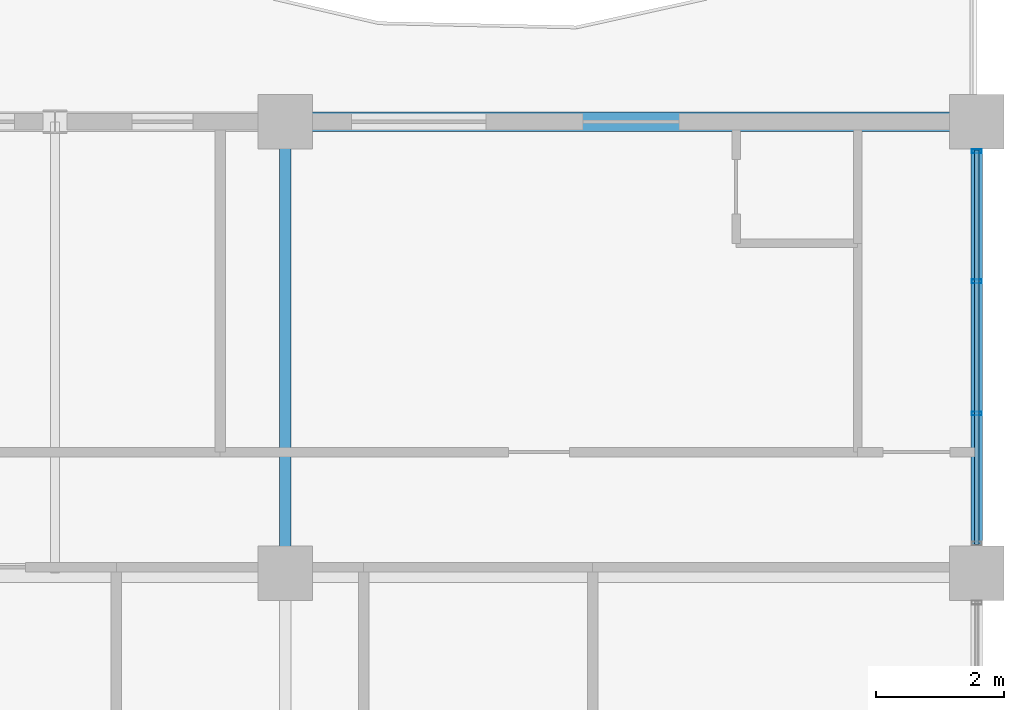
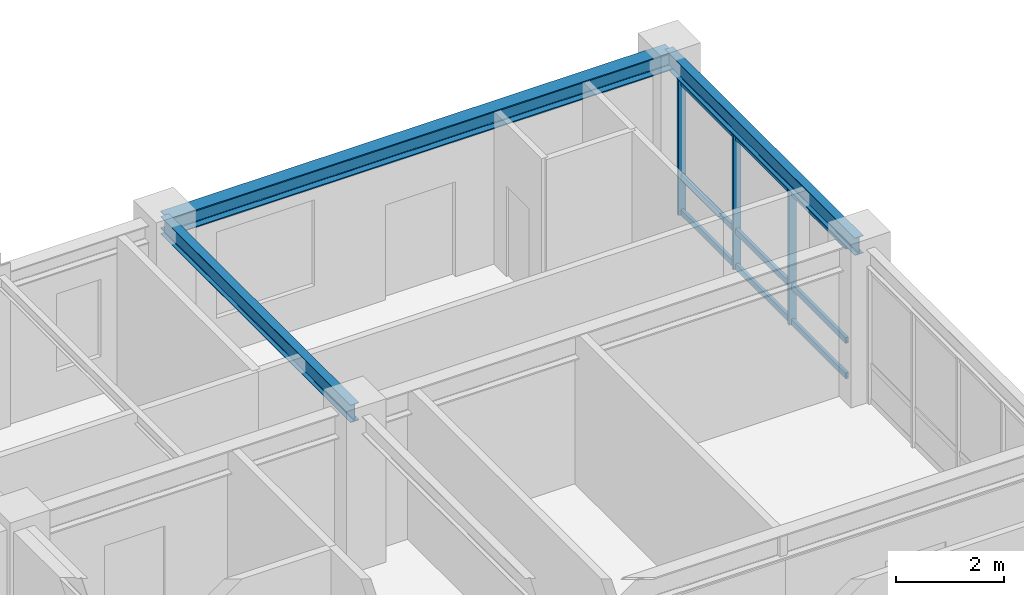
# One storey, part 4 of 11: 6 members, 3 beams, 1 element without a shape of its own.
"""IFC4 building model written with IfcOpenShell, lengths in metres."""

from ifc_helpers import new_model, si_unit, direction, frame, origin, origin_2d, place, context, subcontext, project, spatial, hollow_rectangle, i_section, extrude, source, transform, mapped, material, layer, layer_set, material_profile, profile_set, type_object, element, aggregate, save


model = new_model("IFC4")

# Units and contexts
model_context = context("Model", 3, precision=1e-05, world=origin(), true_north=direction((0.0, 1.0)))
body_context = subcontext(model_context, "Body", "Model", "MODEL_VIEW")
ifc_project = project(units=[si_unit("LENGTHUNIT", "METRE"), si_unit("AREAUNIT", "SQUARE_METRE"), si_unit("VOLUMEUNIT", "CUBIC_METRE"), si_unit("PLANEANGLEUNIT", "RADIAN"), si_unit("MASSUNIT", "GRAM", prefix="KILO")], contexts=[model_context])

# Site, building, storey
site_placement = place(None, origin())
site = spatial("IfcSite", under=ifc_project, at=site_placement, CompositionType="ELEMENT")
building_placement = place(site_placement, origin())
building = spatial("IfcBuilding", under=site, at=building_placement, Name="Kaliganga Portal Commons", CompositionType="ELEMENT")
storey_placement = place(building_placement, frame((0.0, 0.0, 253.60009765625)))
storey = spatial("IfcBuildingStorey", under=building, at=storey_placement, Name="L65", CompositionType="ELEMENT", Elevation=253.60009765625)

# Beams
ifc_material_1 = material(Name="Structural steel S355J2", Category="steel")
ifc_material_profile_1 = material_profile(ifc_material_1, i_section(OverallWidth=0.300048828125, OverallDepth=0.39990234375, WebThickness=0.013427734375, FlangeThickness=0.02392578125, FilletRadius=0.027099609375, at=origin_2d()), Name="HE 400 B")
ifc_profile_set_1 = profile_set([ifc_material_profile_1], Name="Structural steel S355J2 wide-flange")
beam_type_1 = type_object("IfcBeamType", Name="BM-SPAND-400", PredefinedType="SPANDREL", material=ifc_profile_set_1)
shared_shape_1 = source(origin(), body_context, "Body", "SweptSolid", [
    extrude(i_section(OverallWidth=0.300048828125, OverallDepth=0.39990234375, WebThickness=0.013427734375, FlangeThickness=0.02392578125, FilletRadius=0.027099609375, at=origin_2d()), origin(), (0.0, 0.0, 1.0), 10.800048828125),
])
beam_placement = place(storey_placement, frame((36.0, 43.199951171875, 3.27490234375), z_axis=(1.0, 0.0, 0.0), x_axis=(0.0, 1.0, 0.0)))
element("IfcBeam", 1, at=beam_placement, inside=storey, type_object=beam_type_1, Name="BM SP L65 AN 7", PredefinedType="SPANDREL", context=body_context, shape_type="MappedRepresentation", body=[
    mapped(shared_shape_1, transform((0.0, 0.0, 0.0), x_axis=(1.0, 0.0, 0.0), y_axis=(0.0, 1.0, 0.0), z_axis=(0.0, 0.0, 1.0), scale=1.0)),
])
ifc_material_profile_2 = material_profile(ifc_material_1, i_section(OverallWidth=0.179931640625, OverallDepth=0.39990234375, WebThickness=0.008544921875, FlangeThickness=0.013427734375, FilletRadius=0.02099609375, at=origin_2d()), Name="IPE 400")
ifc_profile_set_2 = profile_set([ifc_material_profile_2], Name="Structural steel S355J2 wide-flange")
beam_type_2 = type_object("IfcBeamType", Name="BM-FLR-400", PredefinedType="BEAM", material=ifc_profile_set_2)
shared_shape_2 = source(origin(), body_context, "Body", "SweptSolid", [
    extrude(i_section(OverallWidth=0.179931640625, OverallDepth=0.39990234375, WebThickness=0.008544921875, FlangeThickness=0.013427734375, FilletRadius=0.02099609375, at=origin_2d()), origin(), (0.0, 0.0, 1.0), 7.050048828125),
])
for number, where, z_axis, x_axis, name in (
    (2, (36.0, 36.14990234375, 3.27490234375), (0.0, 1.0, 0.0), (-1.0, 0.0, 0.0), "BM G L65 AN360"),
    (3, (46.800048828125, 36.14990234375, 3.27490234375), (0.0, 1.0, 0.0), (-1.0, 0.0, 0.0), "BM G L65 AN468"),
):
    element("IfcBeam", number, at=place(storey_placement, frame(where, z_axis=z_axis, x_axis=x_axis)), inside=storey, type_object=beam_type_2, Name=name, PredefinedType="BEAM", context=body_context, shape_type="MappedRepresentation", body=[
        mapped(shared_shape_2, transform((0.0, 0.0, 0.0), x_axis=(1.0, 0.0, 0.0), y_axis=(0.0, 1.0, 0.0), z_axis=(0.0, 0.0, 1.0), scale=1.0)),
    ])

# Curtain wall, members
ifc_material_2 = material(Name="Anodized Aluminium and Laminated Low-E Glass", Category="aluminium")
ifc_layer = layer(ifc_material_2, 0.18994140625)
ifc_layer_set = layer_set([ifc_layer], Name="Anodized Aluminium and Laminated Low-E Glass")
curtain_wall_type = type_object("IfcCurtainWallType", Name="CW-SYS-05", PredefinedType="NOTDEFINED", material=ifc_layer_set)
curtain_wall_placement = place(storey_placement, origin())
curtain_wall = element("IfcCurtainWall", 4, at=curtain_wall_placement, inside=storey, type_object=curtain_wall_type, Name="CW 05 L65 P1E01S3", PredefinedType="NOTDEFINED")
ifc_material_3 = material(Name="Dark Bronze Anodized Aluminium", Category="aluminium")
ifc_material_profile_3 = material_profile(ifc_material_3, hollow_rectangle(XDim=0.06005859375, YDim=0.159912109375, WallThickness=0.00341796875, at=origin_2d()), Name="ALU MULL 60x160x3.5")
ifc_profile_set_3 = profile_set([ifc_material_profile_3], Name="Dark Bronze Anodized Aluminium")
member_type_1 = type_object("IfcMemberType", Name="CW-MUL-160", PredefinedType="MULLION", material=ifc_profile_set_3)
shared_shape_3 = source(origin(), body_context, "Body", "SweptSolid", [
    extrude(hollow_rectangle(XDim=0.06005859375, YDim=0.159912109375, WallThickness=0.00341796875, at=origin_2d()), origin(), (0.0, 0.0, 1.0), 3.074951171875),
])
member_1_placement = place(storey_placement, frame((46.800048828125, 38.64208984375, 0.0), z_axis=(0.0, 0.0, 1.0), x_axis=(0.0, 1.0, 0.0)))
member_1 = element("IfcMember", 5, at=member_1_placement, type_object=member_type_1, Name="CW:05:L65:P1E01S3 Mullion 01", PredefinedType="MULLION", context=body_context, shape_type="MappedRepresentation", body=[
    mapped(shared_shape_3, transform((0.0, 0.0, 0.0), x_axis=(1.0, 0.0, 0.0), y_axis=(0.0, 1.0, 0.0), z_axis=(0.0, 0.0, 1.0), scale=1.0)),
])
member_2_placement = place(storey_placement, frame((46.800048828125, 40.7080078125, 0.0), z_axis=(0.0, 0.0, 1.0), x_axis=(0.0, 1.0, 0.0)))
member_2 = element("IfcMember", 6, at=member_2_placement, type_object=member_type_1, Name="CW:05:L65:P1E01S3 Mullion 02", PredefinedType="MULLION", context=body_context, shape_type="MappedRepresentation", body=[
    mapped(shared_shape_3, transform((0.0, 0.0, 0.0), x_axis=(1.0, 0.0, 0.0), y_axis=(0.0, 1.0, 0.0), z_axis=(0.0, 0.0, 1.0), scale=1.0)),
])
member_3_placement = place(storey_placement, frame((46.800048828125, 42.739013671875, 0.0), z_axis=(0.0, 0.0, 1.0), x_axis=(0.0, 1.0, 0.0)))
member_3 = element("IfcMember", 7, at=member_3_placement, type_object=member_type_1, Name="CW:05:L65:P1E01S3 Mullion 03", PredefinedType="MULLION", context=body_context, shape_type="MappedRepresentation", body=[
    mapped(shared_shape_3, transform((0.0, 0.0, 0.0), x_axis=(1.0, 0.0, 0.0), y_axis=(0.0, 1.0, 0.0), z_axis=(0.0, 0.0, 1.0), scale=1.0)),
])
ifc_material_profile_4 = material_profile(ifc_material_3, hollow_rectangle(XDim=0.06494140625, YDim=0.135009765625, WallThickness=0.00341796875, at=origin_2d()), Name="ALU TRAN 65x135x3.5")
ifc_profile_set_4 = profile_set([ifc_material_profile_4], Name="Dark Bronze Anodized Aluminium")
member_type_2 = type_object("IfcMemberType", Name="CW-TRN-135", PredefinedType="USERDEFINED", material=ifc_profile_set_4)
shared_shape_4 = source(origin(), body_context, "Body", "SweptSolid", [
    extrude(hollow_rectangle(XDim=0.06494140625, YDim=0.135009765625, WallThickness=0.00341796875, at=origin_2d()), origin(), (0.0, 0.0, 1.0), 6.157958984375),
])
member_4_placement = place(storey_placement, frame((46.800048828125, 36.595947265625, 0.059814453125), z_axis=(0.0, 1.0, 0.0), x_axis=(-1.0, 0.0, 0.0)))
member_4 = element("IfcMember", 8, at=member_4_placement, type_object=member_type_2, Name="CW:05:L65:P1E01S3 Transom 1", ObjectType="TRANSOM", PredefinedType="USERDEFINED", context=body_context, shape_type="MappedRepresentation", body=[
    mapped(shared_shape_4, transform((0.0, 0.0, 0.0), x_axis=(1.0, 0.0, 0.0), y_axis=(0.0, 1.0, 0.0), z_axis=(0.0, 0.0, 1.0), scale=1.0)),
])
member_5_placement = place(storey_placement, frame((46.800048828125, 36.595947265625, 0.86083984375), z_axis=(0.0, 1.0, 0.0), x_axis=(-1.0, 0.0, 0.0)))
member_5 = element("IfcMember", 9, at=member_5_placement, type_object=member_type_2, Name="CW:05:L65:P1E01S3 Transom 2", ObjectType="TRANSOM", PredefinedType="USERDEFINED", context=body_context, shape_type="MappedRepresentation", body=[
    mapped(shared_shape_4, transform((0.0, 0.0, 0.0), x_axis=(1.0, 0.0, 0.0), y_axis=(0.0, 1.0, 0.0), z_axis=(0.0, 0.0, 1.0), scale=1.0)),
])
member_6_placement = place(storey_placement, frame((46.800048828125, 36.595947265625, 2.994873046875), z_axis=(0.0, 1.0, 0.0), x_axis=(-1.0, 0.0, 0.0)))
member_6 = element("IfcMember", 10, at=member_6_placement, type_object=member_type_2, Name="CW:05:L65:P1E01S3 Transom 3", ObjectType="TRANSOM", PredefinedType="USERDEFINED", context=body_context, shape_type="MappedRepresentation", body=[
    mapped(shared_shape_4, transform((0.0, 0.0, 0.0), x_axis=(1.0, 0.0, 0.0), y_axis=(0.0, 1.0, 0.0), z_axis=(0.0, 0.0, 1.0), scale=1.0)),
])
aggregate(curtain_wall, [member_1, member_2, member_3, member_4, member_5, member_6])

save(model, "model.ifc")
